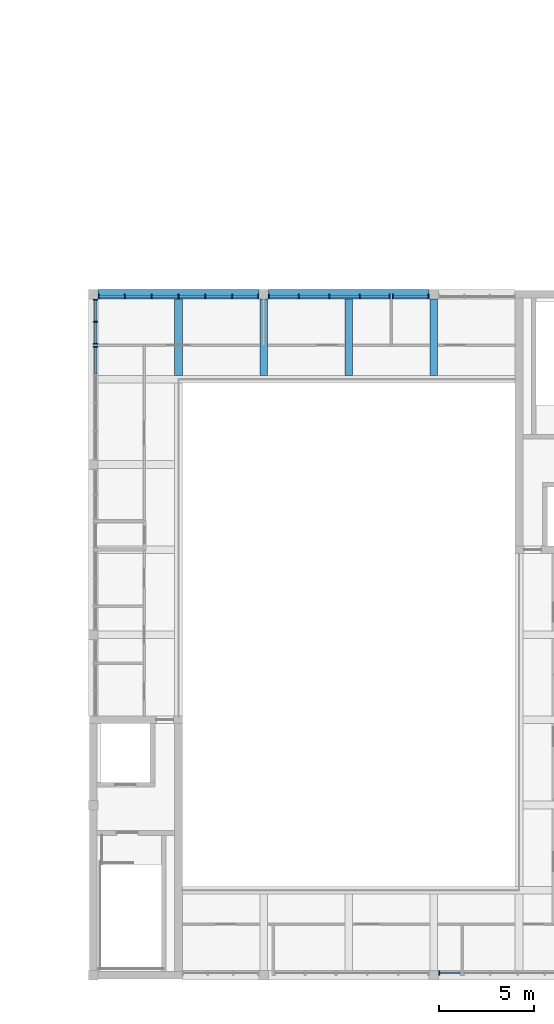
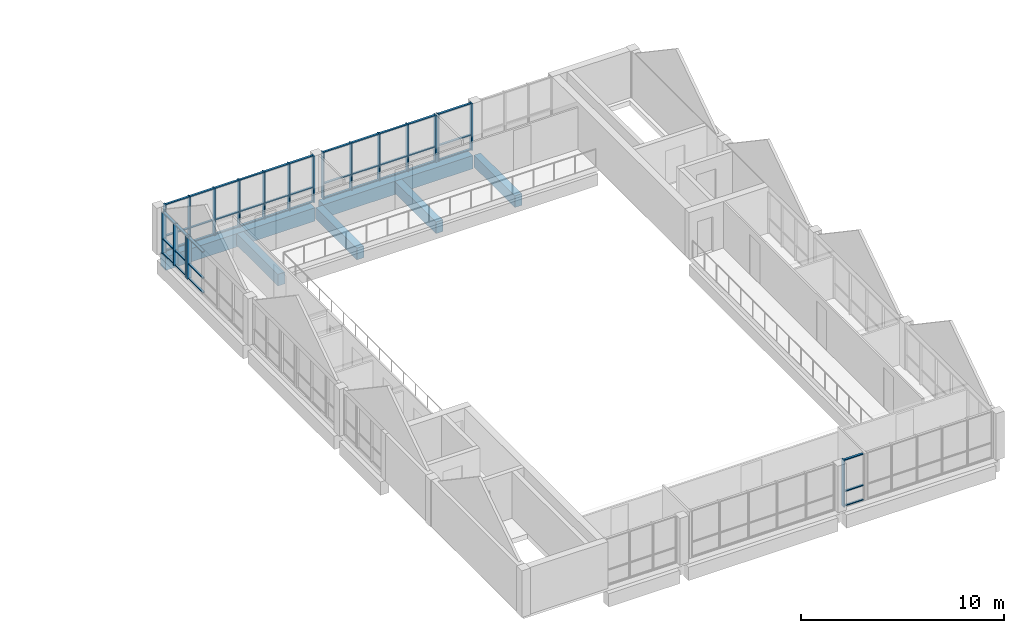
# One storey, part 6 of 50: 64 members, 6 beams, 6 elements without a shape of their own.
"""IFC4 building model written with IfcOpenShell, lengths in metres."""

from ifc_helpers import new_model, si_unit, direction, frame, origin, origin_2d, place, context, subcontext, project, spatial, rectangle, extrude, material, material_profile, profile_set, type_object, element, aggregate, save


model = new_model("IFC4")

# Units and contexts
model_context = context("Model", 3, precision=1e-05, world=origin(), true_north=direction((0.0, 1.0)))
body_context = subcontext(model_context, "Body", "Model", "MODEL_VIEW")
ifc_project = project(units=[si_unit("LENGTHUNIT", "METRE"), si_unit("AREAUNIT", "SQUARE_METRE"), si_unit("VOLUMEUNIT", "CUBIC_METRE"), si_unit("PLANEANGLEUNIT", "RADIAN"), si_unit("MASSUNIT", "GRAM", prefix="KILO")], contexts=[model_context])

# Site, building, storey
site_placement = place(None, origin())
site = spatial("IfcSite", under=ifc_project, at=site_placement, CompositionType="ELEMENT")
building_placement = place(site_placement, origin())
building = spatial("IfcBuilding", under=site, at=building_placement, Name="Merrow Basin Faculty of Sciences", CompositionType="ELEMENT")
storey_placement = place(building_placement, frame((0.0, 0.0, 18.0)))
storey = spatial("IfcBuildingStorey", under=building, at=storey_placement, Name="L04", CompositionType="ELEMENT", Elevation=18.0)

# Curtain wall, member
ifc_material_1 = material(Name="Aluminium alloy 6063", Category="aluminium")
curtain_wall_type = type_object("IfcCurtainWallType", Name="Atrium unitised curtain wall 240", PredefinedType="NOTDEFINED", material=ifc_material_1)
curtain_wall_1_placement = place(storey_placement, origin())
curtain_wall_1 = element("IfcCurtainWall", 1, at=curtain_wall_1_placement, inside=storey, type_object=curtain_wall_type, Name="W curtain wall L04 7", PredefinedType="NOTDEFINED")
ifc_material_2 = material(Name="Aluminium alloy 6063", Category="aluminium")
ifc_material_profile_1 = material_profile(ifc_material_2, rectangle(XDim=0.239990234375, YDim=0.06005859375, at=origin_2d()))
ifc_profile_set_1 = profile_set([ifc_material_profile_1], Name="Aluminium alloy 6063")
member_type_1 = type_object("IfcMemberType", Name="Aluminium mullion 60x240", PredefinedType="MULLION", material=ifc_profile_set_1)
member_1_placement = place(storey_placement, frame((45.1201171875, 33.219970703125, 0.0), z_axis=(0.0, 0.0, 1.0), x_axis=(-1.0, 0.0, 0.0)))
member_1 = element("IfcMember", 2, at=member_1_placement, type_object=member_type_1, Name="CW5 mullion 5", PredefinedType="MULLION", context=body_context, shape_type="SweptSolid", body=[
    extrude(rectangle(XDim=0.239990234375, YDim=0.06005859375, at=origin_2d()), origin(), (0.0, 0.0, 1.0), 2.512939453125),
])

# Curtain wall, members
curtain_wall_2_placement = place(storey_placement, origin())
curtain_wall_2 = element("IfcCurtainWall", 3, at=curtain_wall_2_placement, inside=storey, type_object=curtain_wall_type, Name="W curtain wall L04 8", PredefinedType="NOTDEFINED")
member_2_placement = place(storey_placement, frame((45.1201171875, 33.3798828125, 0.0), z_axis=(0.0, 0.0, 1.0), x_axis=(-1.0, 0.0, 0.0)))
member_2 = element("IfcMember", 4, at=member_2_placement, type_object=member_type_1, Name="CW5 mullion 1", PredefinedType="MULLION", context=body_context, shape_type="SweptSolid", body=[
    extrude(rectangle(XDim=0.239990234375, YDim=0.06005859375, at=origin_2d()), origin(), (0.0, 0.0, 1.0), 2.512939453125),
])
member_3_placement = place(storey_placement, frame((45.1201171875, 34.550048828125, 0.0), z_axis=(0.0, 0.0, 1.0), x_axis=(-1.0, 0.0, 0.0)))
member_3 = element("IfcMember", 5, at=member_3_placement, type_object=member_type_1, Name="CW5 mullion 2", PredefinedType="MULLION", context=body_context, shape_type="SweptSolid", body=[
    extrude(rectangle(XDim=0.239990234375, YDim=0.06005859375, at=origin_2d()), origin(), (0.0, 0.0, 1.0), 2.512939453125),
])
member_4_placement = place(storey_placement, frame((45.1201171875, 35.719970703125, 0.0), z_axis=(0.0, 0.0, 1.0), x_axis=(-1.0, 0.0, 0.0)))
member_4 = element("IfcMember", 6, at=member_4_placement, type_object=member_type_1, Name="CW5 mullion 3", PredefinedType="MULLION", context=body_context, shape_type="SweptSolid", body=[
    extrude(rectangle(XDim=0.239990234375, YDim=0.06005859375, at=origin_2d()), origin(), (0.0, 0.0, 1.0), 2.512939453125),
])

curtain_wall_3_placement = place(storey_placement, origin())
curtain_wall_3 = element("IfcCurtainWall", 7, at=curtain_wall_3_placement, inside=storey, type_object=curtain_wall_type, Name="N curtain wall L04 1", PredefinedType="NOTDEFINED")
member_5_placement = place(storey_placement, frame((45.280029296875, 35.8798828125, 0.0), z_axis=(0.0, 0.0, 1.0), x_axis=(0.0, 1.0, 0.0)))
member_5 = element("IfcMember", 8, at=member_5_placement, type_object=member_type_1, Name="CW5 mullion 1", PredefinedType="MULLION", context=body_context, shape_type="SweptSolid", body=[
    extrude(rectangle(XDim=0.239990234375, YDim=0.06005859375, at=origin_2d()), origin(), (0.0, 0.0, 1.0), 2.81298828125),
])
member_6_placement = place(storey_placement, frame((46.666748046875, 35.8798828125, 0.0), z_axis=(0.0, 0.0, 1.0), x_axis=(0.0, 1.0, 0.0)))
member_6 = element("IfcMember", 9, at=member_6_placement, type_object=member_type_1, Name="CW5 mullion 2", PredefinedType="MULLION", context=body_context, shape_type="SweptSolid", body=[
    extrude(rectangle(XDim=0.239990234375, YDim=0.06005859375, at=origin_2d()), origin(), (0.0, 0.0, 1.0), 2.81298828125),
])
member_7_placement = place(storey_placement, frame((48.083251953125, 35.8798828125, 0.0), z_axis=(0.0, 0.0, 1.0), x_axis=(0.0, 1.0, 0.0)))
member_7 = element("IfcMember", 10, at=member_7_placement, type_object=member_type_1, Name="CW5 mullion 3", PredefinedType="MULLION", context=body_context, shape_type="SweptSolid", body=[
    extrude(rectangle(XDim=0.239990234375, YDim=0.06005859375, at=origin_2d()), origin(), (0.0, 0.0, 1.0), 2.81298828125),
])
member_8_placement = place(storey_placement, frame((49.5, 35.8798828125, 0.0), z_axis=(0.0, 0.0, 1.0), x_axis=(0.0, 1.0, 0.0)))
member_8 = element("IfcMember", 11, at=member_8_placement, type_object=member_type_1, Name="CW5 mullion 4", PredefinedType="MULLION", context=body_context, shape_type="SweptSolid", body=[
    extrude(rectangle(XDim=0.239990234375, YDim=0.06005859375, at=origin_2d()), origin(), (0.0, 0.0, 1.0), 2.81298828125),
])
member_9_placement = place(storey_placement, frame((50.916748046875, 35.8798828125, 0.0), z_axis=(0.0, 0.0, 1.0), x_axis=(0.0, 1.0, 0.0)))
member_9 = element("IfcMember", 12, at=member_9_placement, type_object=member_type_1, Name="CW5 mullion 5", PredefinedType="MULLION", context=body_context, shape_type="SweptSolid", body=[
    extrude(rectangle(XDim=0.239990234375, YDim=0.06005859375, at=origin_2d()), origin(), (0.0, 0.0, 1.0), 2.81298828125),
])
member_10_placement = place(storey_placement, frame((52.333251953125, 35.8798828125, 0.0), z_axis=(0.0, 0.0, 1.0), x_axis=(0.0, 1.0, 0.0)))
member_10 = element("IfcMember", 13, at=member_10_placement, type_object=member_type_1, Name="CW5 mullion 6", PredefinedType="MULLION", context=body_context, shape_type="SweptSolid", body=[
    extrude(rectangle(XDim=0.239990234375, YDim=0.06005859375, at=origin_2d()), origin(), (0.0, 0.0, 1.0), 2.81298828125),
])
member_11_placement = place(storey_placement, frame((53.719970703125, 35.8798828125, 0.0), z_axis=(0.0, 0.0, 1.0), x_axis=(0.0, 1.0, 0.0)))
member_11 = element("IfcMember", 14, at=member_11_placement, type_object=member_type_1, Name="CW5 mullion 7", PredefinedType="MULLION", context=body_context, shape_type="SweptSolid", body=[
    extrude(rectangle(XDim=0.239990234375, YDim=0.06005859375, at=origin_2d()), origin(), (0.0, 0.0, 1.0), 2.81298828125),
])

curtain_wall_4_placement = place(storey_placement, origin())
curtain_wall_4 = element("IfcCurtainWall", 15, at=curtain_wall_4_placement, inside=storey, type_object=curtain_wall_type, Name="N curtain wall L04 2", PredefinedType="NOTDEFINED")
member_12_placement = place(storey_placement, frame((54.280029296875, 35.8798828125, 0.0), z_axis=(0.0, 0.0, 1.0), x_axis=(0.0, 1.0, 0.0)))
member_12 = element("IfcMember", 16, at=member_12_placement, type_object=member_type_1, Name="CW5 mullion 1", PredefinedType="MULLION", context=body_context, shape_type="SweptSolid", body=[
    extrude(rectangle(XDim=0.239990234375, YDim=0.06005859375, at=origin_2d()), origin(), (0.0, 0.0, 1.0), 2.81298828125),
])
member_13_placement = place(storey_placement, frame((55.862548828125, 35.8798828125, 0.0), z_axis=(0.0, 0.0, 1.0), x_axis=(0.0, 1.0, 0.0)))
member_13 = element("IfcMember", 17, at=member_13_placement, type_object=member_type_1, Name="CW5 mullion 2", PredefinedType="MULLION", context=body_context, shape_type="SweptSolid", body=[
    extrude(rectangle(XDim=0.239990234375, YDim=0.06005859375, at=origin_2d()), origin(), (0.0, 0.0, 1.0), 2.81298828125),
])
member_14_placement = place(storey_placement, frame((57.47509765625, 35.8798828125, 0.0), z_axis=(0.0, 0.0, 1.0), x_axis=(0.0, 1.0, 0.0)))
member_14 = element("IfcMember", 18, at=member_14_placement, type_object=member_type_1, Name="CW5 mullion 3", PredefinedType="MULLION", context=body_context, shape_type="SweptSolid", body=[
    extrude(rectangle(XDim=0.239990234375, YDim=0.06005859375, at=origin_2d()), origin(), (0.0, 0.0, 1.0), 2.81298828125),
])
member_15_placement = place(storey_placement, frame((59.08740234375, 35.8798828125, 0.0), z_axis=(0.0, 0.0, 1.0), x_axis=(0.0, 1.0, 0.0)))
member_15 = element("IfcMember", 19, at=member_15_placement, type_object=member_type_1, Name="CW5 mullion 4", PredefinedType="MULLION", context=body_context, shape_type="SweptSolid", body=[
    extrude(rectangle(XDim=0.239990234375, YDim=0.06005859375, at=origin_2d()), origin(), (0.0, 0.0, 1.0), 2.81298828125),
])
member_16_placement = place(storey_placement, frame((60.669921875, 35.8798828125, 0.0), z_axis=(0.0, 0.0, 1.0), x_axis=(0.0, 1.0, 0.0)))
member_16 = element("IfcMember", 20, at=member_16_placement, type_object=member_type_1, Name="CW5 mullion 5", PredefinedType="MULLION", context=body_context, shape_type="SweptSolid", body=[
    extrude(rectangle(XDim=0.239990234375, YDim=0.06005859375, at=origin_2d()), origin(), (0.0, 0.0, 1.0), 2.81298828125),
])

curtain_wall_5_placement = place(storey_placement, origin())
curtain_wall_5 = element("IfcCurtainWall", 21, at=curtain_wall_5_placement, inside=storey, type_object=curtain_wall_type, Name="N curtain wall L04 3", PredefinedType="NOTDEFINED")
member_17_placement = place(storey_placement, frame((60.830078125, 35.8798828125, 0.0), z_axis=(0.0, 0.0, 1.0), x_axis=(0.0, 1.0, 0.0)))
member_17 = element("IfcMember", 22, at=member_17_placement, type_object=member_type_1, Name="CW5 mullion 1", PredefinedType="MULLION", context=body_context, shape_type="SweptSolid", body=[
    extrude(rectangle(XDim=0.239990234375, YDim=0.06005859375, at=origin_2d()), origin(), (0.0, 0.0, 1.0), 2.81298828125),
])
member_18_placement = place(storey_placement, frame((62.719970703125, 35.8798828125, 0.0), z_axis=(0.0, 0.0, 1.0), x_axis=(0.0, 1.0, 0.0)))
member_18 = element("IfcMember", 23, at=member_18_placement, type_object=member_type_1, Name="CW5 mullion 2", PredefinedType="MULLION", context=body_context, shape_type="SweptSolid", body=[
    extrude(rectangle(XDim=0.239990234375, YDim=0.06005859375, at=origin_2d()), origin(), (0.0, 0.0, 1.0), 2.81298828125),
])

# Curtain wall, member
curtain_wall_6_placement = place(storey_placement, origin())
curtain_wall_6 = element("IfcCurtainWall", 24, at=curtain_wall_6_placement, inside=storey, type_object=curtain_wall_type, Name="S curtain wall L04 3", PredefinedType="NOTDEFINED")
member_19_placement = place(storey_placement, frame((63.280029296875, 0.1201171875, 0.0), z_axis=(0.0, 0.0, 1.0), x_axis=(0.0, 1.0, 0.0)))
member_19 = element("IfcMember", 25, at=member_19_placement, type_object=member_type_1, Name="CW5 mullion 1", PredefinedType="MULLION", context=body_context, shape_type="SweptSolid", body=[
    extrude(rectangle(XDim=0.239990234375, YDim=0.06005859375, at=origin_2d()), origin(), (0.0, 0.0, 1.0), 2.81298828125),
])

# Member
ifc_material_3 = material(Name="Aluminium alloy 6063", Category="aluminium")
ifc_material_profile_2 = material_profile(ifc_material_3, rectangle(XDim=0.1201171875, YDim=0.06005859375, at=origin_2d()))
ifc_profile_set_2 = profile_set([ifc_material_profile_2], Name="Aluminium alloy 6063")
member_type_2 = type_object("IfcMemberType", Name="Aluminium transom 60x120", PredefinedType="USERDEFINED", material=ifc_profile_set_2)
member_20_placement = place(storey_placement, frame((45.1201171875, 31.780029296875, 0.030029296875), z_axis=(0.0, 1.0, 0.0), x_axis=(-1.0, 0.0, 0.0)))
member_20 = element("IfcMember", 26, at=member_20_placement, type_object=member_type_2, Name="CW5 transom 4.1", ObjectType="TRANSOM", PredefinedType="USERDEFINED", context=body_context, shape_type="SweptSolid", body=[
    extrude(rectangle(XDim=0.1201171875, YDim=0.06005859375, at=origin_2d()), origin(), (0.0, 0.0, 1.0), 1.409912109375),
])

member_21_placement = place(storey_placement, frame((45.1201171875, 31.780029296875, 0.89990234375), z_axis=(0.0, 1.0, 0.0), x_axis=(-1.0, 0.0, 0.0)))
member_21 = element("IfcMember", 27, at=member_21_placement, type_object=member_type_2, Name="CW5 transom 4.2", ObjectType="TRANSOM", PredefinedType="USERDEFINED", context=body_context, shape_type="SweptSolid", body=[
    extrude(rectangle(XDim=0.1201171875, YDim=0.06005859375, at=origin_2d()), origin(), (0.0, 0.0, 1.0), 1.409912109375),
])

member_22_placement = place(storey_placement, frame((45.1201171875, 31.780029296875, 2.48291015625), z_axis=(0.0, 1.0, 0.0), x_axis=(-1.0, 0.0, 0.0)))
member_22 = element("IfcMember", 28, at=member_22_placement, type_object=member_type_2, Name="CW5 transom 4.3", ObjectType="TRANSOM", PredefinedType="USERDEFINED", context=body_context, shape_type="SweptSolid", body=[
    extrude(rectangle(XDim=0.1201171875, YDim=0.06005859375, at=origin_2d()), origin(), (0.0, 0.0, 1.0), 1.409912109375),
])

aggregate(curtain_wall_1, [member_1, member_20, member_21, member_22])

member_23_placement = place(storey_placement, frame((45.1201171875, 33.409912109375, 0.030029296875), z_axis=(0.0, 1.0, 0.0), x_axis=(-1.0, 0.0, 0.0)))
member_23 = element("IfcMember", 29, at=member_23_placement, type_object=member_type_2, Name="CW5 transom 1.1", ObjectType="TRANSOM", PredefinedType="USERDEFINED", context=body_context, shape_type="SweptSolid", body=[
    extrude(rectangle(XDim=0.1201171875, YDim=0.06005859375, at=origin_2d()), origin(), (0.0, 0.0, 1.0), 1.110107421875),
])

member_24_placement = place(storey_placement, frame((45.1201171875, 33.409912109375, 0.89990234375), z_axis=(0.0, 1.0, 0.0), x_axis=(-1.0, 0.0, 0.0)))
member_24 = element("IfcMember", 30, at=member_24_placement, type_object=member_type_2, Name="CW5 transom 1.2", ObjectType="TRANSOM", PredefinedType="USERDEFINED", context=body_context, shape_type="SweptSolid", body=[
    extrude(rectangle(XDim=0.1201171875, YDim=0.06005859375, at=origin_2d()), origin(), (0.0, 0.0, 1.0), 1.110107421875),
])

member_25_placement = place(storey_placement, frame((45.1201171875, 33.409912109375, 2.48291015625), z_axis=(0.0, 1.0, 0.0), x_axis=(-1.0, 0.0, 0.0)))
member_25 = element("IfcMember", 31, at=member_25_placement, type_object=member_type_2, Name="CW5 transom 1.3", ObjectType="TRANSOM", PredefinedType="USERDEFINED", context=body_context, shape_type="SweptSolid", body=[
    extrude(rectangle(XDim=0.1201171875, YDim=0.06005859375, at=origin_2d()), origin(), (0.0, 0.0, 1.0), 1.110107421875),
])

member_26_placement = place(storey_placement, frame((45.1201171875, 34.580078125, 0.030029296875), z_axis=(0.0, 1.0, 0.0), x_axis=(-1.0, 0.0, 0.0)))
member_26 = element("IfcMember", 32, at=member_26_placement, type_object=member_type_2, Name="CW5 transom 2.1", ObjectType="TRANSOM", PredefinedType="USERDEFINED", context=body_context, shape_type="SweptSolid", body=[
    extrude(rectangle(XDim=0.1201171875, YDim=0.06005859375, at=origin_2d()), origin(), (0.0, 0.0, 1.0), 1.10986328125),
])

member_27_placement = place(storey_placement, frame((45.1201171875, 34.580078125, 0.89990234375), z_axis=(0.0, 1.0, 0.0), x_axis=(-1.0, 0.0, 0.0)))
member_27 = element("IfcMember", 33, at=member_27_placement, type_object=member_type_2, Name="CW5 transom 2.2", ObjectType="TRANSOM", PredefinedType="USERDEFINED", context=body_context, shape_type="SweptSolid", body=[
    extrude(rectangle(XDim=0.1201171875, YDim=0.06005859375, at=origin_2d()), origin(), (0.0, 0.0, 1.0), 1.10986328125),
])

member_28_placement = place(storey_placement, frame((45.1201171875, 34.580078125, 2.48291015625), z_axis=(0.0, 1.0, 0.0), x_axis=(-1.0, 0.0, 0.0)))
member_28 = element("IfcMember", 34, at=member_28_placement, type_object=member_type_2, Name="CW5 transom 2.3", ObjectType="TRANSOM", PredefinedType="USERDEFINED", context=body_context, shape_type="SweptSolid", body=[
    extrude(rectangle(XDim=0.1201171875, YDim=0.06005859375, at=origin_2d()), origin(), (0.0, 0.0, 1.0), 1.10986328125),
])

aggregate(curtain_wall_2, [member_2, member_3, member_4, member_23, member_24, member_25, member_26, member_27, member_28])

member_29_placement = place(storey_placement, frame((45.31005859375, 35.8798828125, 0.030029296875), z_axis=(1.0, 0.0, 0.0), x_axis=(0.0, 1.0, 0.0)))
member_29 = element("IfcMember", 35, at=member_29_placement, type_object=member_type_2, Name="CW5 transom 1.1", ObjectType="TRANSOM", PredefinedType="USERDEFINED", context=body_context, shape_type="SweptSolid", body=[
    extrude(rectangle(XDim=0.1201171875, YDim=0.06005859375, at=origin_2d()), origin(), (0.0, 0.0, 1.0), 1.32666015625),
])

member_30_placement = place(storey_placement, frame((45.31005859375, 35.8798828125, 0.89990234375), z_axis=(1.0, 0.0, 0.0), x_axis=(0.0, 1.0, 0.0)))
member_30 = element("IfcMember", 36, at=member_30_placement, type_object=member_type_2, Name="CW5 transom 1.2", ObjectType="TRANSOM", PredefinedType="USERDEFINED", context=body_context, shape_type="SweptSolid", body=[
    extrude(rectangle(XDim=0.1201171875, YDim=0.06005859375, at=origin_2d()), origin(), (0.0, 0.0, 1.0), 1.32666015625),
])

member_31_placement = place(storey_placement, frame((45.31005859375, 35.8798828125, 2.782958984375), z_axis=(1.0, 0.0, 0.0), x_axis=(0.0, 1.0, 0.0)))
member_31 = element("IfcMember", 37, at=member_31_placement, type_object=member_type_2, Name="CW5 transom 1.3", ObjectType="TRANSOM", PredefinedType="USERDEFINED", context=body_context, shape_type="SweptSolid", body=[
    extrude(rectangle(XDim=0.1201171875, YDim=0.06005859375, at=origin_2d()), origin(), (0.0, 0.0, 1.0), 1.32666015625),
])

member_32_placement = place(storey_placement, frame((46.69677734375, 35.8798828125, 0.030029296875), z_axis=(1.0, 0.0, 0.0), x_axis=(0.0, 1.0, 0.0)))
member_32 = element("IfcMember", 38, at=member_32_placement, type_object=member_type_2, Name="CW5 transom 2.1", ObjectType="TRANSOM", PredefinedType="USERDEFINED", context=body_context, shape_type="SweptSolid", body=[
    extrude(rectangle(XDim=0.1201171875, YDim=0.06005859375, at=origin_2d()), origin(), (0.0, 0.0, 1.0), 1.3564453125),
])

member_33_placement = place(storey_placement, frame((46.69677734375, 35.8798828125, 0.89990234375), z_axis=(1.0, 0.0, 0.0), x_axis=(0.0, 1.0, 0.0)))
member_33 = element("IfcMember", 39, at=member_33_placement, type_object=member_type_2, Name="CW5 transom 2.2", ObjectType="TRANSOM", PredefinedType="USERDEFINED", context=body_context, shape_type="SweptSolid", body=[
    extrude(rectangle(XDim=0.1201171875, YDim=0.06005859375, at=origin_2d()), origin(), (0.0, 0.0, 1.0), 1.3564453125),
])

member_34_placement = place(storey_placement, frame((46.69677734375, 35.8798828125, 2.782958984375), z_axis=(1.0, 0.0, 0.0), x_axis=(0.0, 1.0, 0.0)))
member_34 = element("IfcMember", 40, at=member_34_placement, type_object=member_type_2, Name="CW5 transom 2.3", ObjectType="TRANSOM", PredefinedType="USERDEFINED", context=body_context, shape_type="SweptSolid", body=[
    extrude(rectangle(XDim=0.1201171875, YDim=0.06005859375, at=origin_2d()), origin(), (0.0, 0.0, 1.0), 1.3564453125),
])

member_35_placement = place(storey_placement, frame((48.11328125, 35.8798828125, 0.030029296875), z_axis=(1.0, 0.0, 0.0), x_axis=(0.0, 1.0, 0.0)))
member_35 = element("IfcMember", 41, at=member_35_placement, type_object=member_type_2, Name="CW5 transom 3.1", ObjectType="TRANSOM", PredefinedType="USERDEFINED", context=body_context, shape_type="SweptSolid", body=[
    extrude(rectangle(XDim=0.1201171875, YDim=0.06005859375, at=origin_2d()), origin(), (0.0, 0.0, 1.0), 1.356689453125),
])

member_36_placement = place(storey_placement, frame((48.11328125, 35.8798828125, 0.89990234375), z_axis=(1.0, 0.0, 0.0), x_axis=(0.0, 1.0, 0.0)))
member_36 = element("IfcMember", 42, at=member_36_placement, type_object=member_type_2, Name="CW5 transom 3.2", ObjectType="TRANSOM", PredefinedType="USERDEFINED", context=body_context, shape_type="SweptSolid", body=[
    extrude(rectangle(XDim=0.1201171875, YDim=0.06005859375, at=origin_2d()), origin(), (0.0, 0.0, 1.0), 1.356689453125),
])

member_37_placement = place(storey_placement, frame((48.11328125, 35.8798828125, 2.782958984375), z_axis=(1.0, 0.0, 0.0), x_axis=(0.0, 1.0, 0.0)))
member_37 = element("IfcMember", 43, at=member_37_placement, type_object=member_type_2, Name="CW5 transom 3.3", ObjectType="TRANSOM", PredefinedType="USERDEFINED", context=body_context, shape_type="SweptSolid", body=[
    extrude(rectangle(XDim=0.1201171875, YDim=0.06005859375, at=origin_2d()), origin(), (0.0, 0.0, 1.0), 1.356689453125),
])

member_38_placement = place(storey_placement, frame((49.530029296875, 35.8798828125, 0.030029296875), z_axis=(1.0, 0.0, 0.0), x_axis=(0.0, 1.0, 0.0)))
member_38 = element("IfcMember", 44, at=member_38_placement, type_object=member_type_2, Name="CW5 transom 4.1", ObjectType="TRANSOM", PredefinedType="USERDEFINED", context=body_context, shape_type="SweptSolid", body=[
    extrude(rectangle(XDim=0.1201171875, YDim=0.06005859375, at=origin_2d()), origin(), (0.0, 0.0, 1.0), 1.356689453125),
])

member_39_placement = place(storey_placement, frame((49.530029296875, 35.8798828125, 0.89990234375), z_axis=(1.0, 0.0, 0.0), x_axis=(0.0, 1.0, 0.0)))
member_39 = element("IfcMember", 45, at=member_39_placement, type_object=member_type_2, Name="CW5 transom 4.2", ObjectType="TRANSOM", PredefinedType="USERDEFINED", context=body_context, shape_type="SweptSolid", body=[
    extrude(rectangle(XDim=0.1201171875, YDim=0.06005859375, at=origin_2d()), origin(), (0.0, 0.0, 1.0), 1.356689453125),
])

member_40_placement = place(storey_placement, frame((49.530029296875, 35.8798828125, 2.782958984375), z_axis=(1.0, 0.0, 0.0), x_axis=(0.0, 1.0, 0.0)))
member_40 = element("IfcMember", 46, at=member_40_placement, type_object=member_type_2, Name="CW5 transom 4.3", ObjectType="TRANSOM", PredefinedType="USERDEFINED", context=body_context, shape_type="SweptSolid", body=[
    extrude(rectangle(XDim=0.1201171875, YDim=0.06005859375, at=origin_2d()), origin(), (0.0, 0.0, 1.0), 1.356689453125),
])

member_41_placement = place(storey_placement, frame((50.94677734375, 35.8798828125, 0.030029296875), z_axis=(1.0, 0.0, 0.0), x_axis=(0.0, 1.0, 0.0)))
member_41 = element("IfcMember", 47, at=member_41_placement, type_object=member_type_2, Name="CW5 transom 5.1", ObjectType="TRANSOM", PredefinedType="USERDEFINED", context=body_context, shape_type="SweptSolid", body=[
    extrude(rectangle(XDim=0.1201171875, YDim=0.06005859375, at=origin_2d()), origin(), (0.0, 0.0, 1.0), 1.3564453125),
])

member_42_placement = place(storey_placement, frame((50.94677734375, 35.8798828125, 0.89990234375), z_axis=(1.0, 0.0, 0.0), x_axis=(0.0, 1.0, 0.0)))
member_42 = element("IfcMember", 48, at=member_42_placement, type_object=member_type_2, Name="CW5 transom 5.2", ObjectType="TRANSOM", PredefinedType="USERDEFINED", context=body_context, shape_type="SweptSolid", body=[
    extrude(rectangle(XDim=0.1201171875, YDim=0.06005859375, at=origin_2d()), origin(), (0.0, 0.0, 1.0), 1.3564453125),
])

member_43_placement = place(storey_placement, frame((50.94677734375, 35.8798828125, 2.782958984375), z_axis=(1.0, 0.0, 0.0), x_axis=(0.0, 1.0, 0.0)))
member_43 = element("IfcMember", 49, at=member_43_placement, type_object=member_type_2, Name="CW5 transom 5.3", ObjectType="TRANSOM", PredefinedType="USERDEFINED", context=body_context, shape_type="SweptSolid", body=[
    extrude(rectangle(XDim=0.1201171875, YDim=0.06005859375, at=origin_2d()), origin(), (0.0, 0.0, 1.0), 1.3564453125),
])

member_44_placement = place(storey_placement, frame((52.36328125, 35.8798828125, 0.030029296875), z_axis=(1.0, 0.0, 0.0), x_axis=(0.0, 1.0, 0.0)))
member_44 = element("IfcMember", 50, at=member_44_placement, type_object=member_type_2, Name="CW5 transom 6.1", ObjectType="TRANSOM", PredefinedType="USERDEFINED", context=body_context, shape_type="SweptSolid", body=[
    extrude(rectangle(XDim=0.1201171875, YDim=0.06005859375, at=origin_2d()), origin(), (0.0, 0.0, 1.0), 1.32666015625),
])

member_45_placement = place(storey_placement, frame((52.36328125, 35.8798828125, 0.89990234375), z_axis=(1.0, 0.0, 0.0), x_axis=(0.0, 1.0, 0.0)))
member_45 = element("IfcMember", 51, at=member_45_placement, type_object=member_type_2, Name="CW5 transom 6.2", ObjectType="TRANSOM", PredefinedType="USERDEFINED", context=body_context, shape_type="SweptSolid", body=[
    extrude(rectangle(XDim=0.1201171875, YDim=0.06005859375, at=origin_2d()), origin(), (0.0, 0.0, 1.0), 1.32666015625),
])

member_46_placement = place(storey_placement, frame((52.36328125, 35.8798828125, 2.782958984375), z_axis=(1.0, 0.0, 0.0), x_axis=(0.0, 1.0, 0.0)))
member_46 = element("IfcMember", 52, at=member_46_placement, type_object=member_type_2, Name="CW5 transom 6.3", ObjectType="TRANSOM", PredefinedType="USERDEFINED", context=body_context, shape_type="SweptSolid", body=[
    extrude(rectangle(XDim=0.1201171875, YDim=0.06005859375, at=origin_2d()), origin(), (0.0, 0.0, 1.0), 1.32666015625),
])

aggregate(curtain_wall_3, [member_5, member_6, member_7, member_8, member_9, member_10, member_11, member_29, member_30, member_31, member_32, member_33, member_34, member_35, member_36, member_37, member_38, member_39, member_40, member_41, member_42, member_43, member_44, member_45, member_46])

member_47_placement = place(storey_placement, frame((54.31005859375, 35.8798828125, 0.030029296875), z_axis=(1.0, 0.0, 0.0), x_axis=(0.0, 1.0, 0.0)))
member_47 = element("IfcMember", 53, at=member_47_placement, type_object=member_type_2, Name="CW5 transom 1.1", ObjectType="TRANSOM", PredefinedType="USERDEFINED", context=body_context, shape_type="SweptSolid", body=[
    extrude(rectangle(XDim=0.1201171875, YDim=0.06005859375, at=origin_2d()), origin(), (0.0, 0.0, 1.0), 1.5224609375),
])

member_48_placement = place(storey_placement, frame((54.31005859375, 35.8798828125, 0.89990234375), z_axis=(1.0, 0.0, 0.0), x_axis=(0.0, 1.0, 0.0)))
member_48 = element("IfcMember", 54, at=member_48_placement, type_object=member_type_2, Name="CW5 transom 1.2", ObjectType="TRANSOM", PredefinedType="USERDEFINED", context=body_context, shape_type="SweptSolid", body=[
    extrude(rectangle(XDim=0.1201171875, YDim=0.06005859375, at=origin_2d()), origin(), (0.0, 0.0, 1.0), 1.5224609375),
])

member_49_placement = place(storey_placement, frame((54.31005859375, 35.8798828125, 2.782958984375), z_axis=(1.0, 0.0, 0.0), x_axis=(0.0, 1.0, 0.0)))
member_49 = element("IfcMember", 55, at=member_49_placement, type_object=member_type_2, Name="CW5 transom 1.3", ObjectType="TRANSOM", PredefinedType="USERDEFINED", context=body_context, shape_type="SweptSolid", body=[
    extrude(rectangle(XDim=0.1201171875, YDim=0.06005859375, at=origin_2d()), origin(), (0.0, 0.0, 1.0), 1.5224609375),
])

member_50_placement = place(storey_placement, frame((55.892578125, 35.8798828125, 0.030029296875), z_axis=(1.0, 0.0, 0.0), x_axis=(0.0, 1.0, 0.0)))
member_50 = element("IfcMember", 56, at=member_50_placement, type_object=member_type_2, Name="CW5 transom 2.1", ObjectType="TRANSOM", PredefinedType="USERDEFINED", context=body_context, shape_type="SweptSolid", body=[
    extrude(rectangle(XDim=0.1201171875, YDim=0.06005859375, at=origin_2d()), origin(), (0.0, 0.0, 1.0), 1.552490234375),
])

member_51_placement = place(storey_placement, frame((55.892578125, 35.8798828125, 0.89990234375), z_axis=(1.0, 0.0, 0.0), x_axis=(0.0, 1.0, 0.0)))
member_51 = element("IfcMember", 57, at=member_51_placement, type_object=member_type_2, Name="CW5 transom 2.2", ObjectType="TRANSOM", PredefinedType="USERDEFINED", context=body_context, shape_type="SweptSolid", body=[
    extrude(rectangle(XDim=0.1201171875, YDim=0.06005859375, at=origin_2d()), origin(), (0.0, 0.0, 1.0), 1.552490234375),
])

member_52_placement = place(storey_placement, frame((55.892578125, 35.8798828125, 2.782958984375), z_axis=(1.0, 0.0, 0.0), x_axis=(0.0, 1.0, 0.0)))
member_52 = element("IfcMember", 58, at=member_52_placement, type_object=member_type_2, Name="CW5 transom 2.3", ObjectType="TRANSOM", PredefinedType="USERDEFINED", context=body_context, shape_type="SweptSolid", body=[
    extrude(rectangle(XDim=0.1201171875, YDim=0.06005859375, at=origin_2d()), origin(), (0.0, 0.0, 1.0), 1.552490234375),
])

member_53_placement = place(storey_placement, frame((57.5048828125, 35.8798828125, 0.030029296875), z_axis=(1.0, 0.0, 0.0), x_axis=(0.0, 1.0, 0.0)))
member_53 = element("IfcMember", 59, at=member_53_placement, type_object=member_type_2, Name="CW5 transom 3.1", ObjectType="TRANSOM", PredefinedType="USERDEFINED", context=body_context, shape_type="SweptSolid", body=[
    extrude(rectangle(XDim=0.1201171875, YDim=0.06005859375, at=origin_2d()), origin(), (0.0, 0.0, 1.0), 1.552734375),
])

member_54_placement = place(storey_placement, frame((57.5048828125, 35.8798828125, 0.89990234375), z_axis=(1.0, 0.0, 0.0), x_axis=(0.0, 1.0, 0.0)))
member_54 = element("IfcMember", 60, at=member_54_placement, type_object=member_type_2, Name="CW5 transom 3.2", ObjectType="TRANSOM", PredefinedType="USERDEFINED", context=body_context, shape_type="SweptSolid", body=[
    extrude(rectangle(XDim=0.1201171875, YDim=0.06005859375, at=origin_2d()), origin(), (0.0, 0.0, 1.0), 1.552734375),
])

member_55_placement = place(storey_placement, frame((57.5048828125, 35.8798828125, 2.782958984375), z_axis=(1.0, 0.0, 0.0), x_axis=(0.0, 1.0, 0.0)))
member_55 = element("IfcMember", 61, at=member_55_placement, type_object=member_type_2, Name="CW5 transom 3.3", ObjectType="TRANSOM", PredefinedType="USERDEFINED", context=body_context, shape_type="SweptSolid", body=[
    extrude(rectangle(XDim=0.1201171875, YDim=0.06005859375, at=origin_2d()), origin(), (0.0, 0.0, 1.0), 1.552734375),
])

member_56_placement = place(storey_placement, frame((59.117431640625, 35.8798828125, 0.030029296875), z_axis=(1.0, 0.0, 0.0), x_axis=(0.0, 1.0, 0.0)))
member_56 = element("IfcMember", 62, at=member_56_placement, type_object=member_type_2, Name="CW5 transom 4.1", ObjectType="TRANSOM", PredefinedType="USERDEFINED", context=body_context, shape_type="SweptSolid", body=[
    extrude(rectangle(XDim=0.1201171875, YDim=0.06005859375, at=origin_2d()), origin(), (0.0, 0.0, 1.0), 1.5224609375),
])

member_57_placement = place(storey_placement, frame((59.117431640625, 35.8798828125, 0.89990234375), z_axis=(1.0, 0.0, 0.0), x_axis=(0.0, 1.0, 0.0)))
member_57 = element("IfcMember", 63, at=member_57_placement, type_object=member_type_2, Name="CW5 transom 4.2", ObjectType="TRANSOM", PredefinedType="USERDEFINED", context=body_context, shape_type="SweptSolid", body=[
    extrude(rectangle(XDim=0.1201171875, YDim=0.06005859375, at=origin_2d()), origin(), (0.0, 0.0, 1.0), 1.5224609375),
])

member_58_placement = place(storey_placement, frame((59.117431640625, 35.8798828125, 2.782958984375), z_axis=(1.0, 0.0, 0.0), x_axis=(0.0, 1.0, 0.0)))
member_58 = element("IfcMember", 64, at=member_58_placement, type_object=member_type_2, Name="CW5 transom 4.3", ObjectType="TRANSOM", PredefinedType="USERDEFINED", context=body_context, shape_type="SweptSolid", body=[
    extrude(rectangle(XDim=0.1201171875, YDim=0.06005859375, at=origin_2d()), origin(), (0.0, 0.0, 1.0), 1.5224609375),
])

aggregate(curtain_wall_4, [member_12, member_13, member_14, member_15, member_16, member_47, member_48, member_49, member_50, member_51, member_52, member_53, member_54, member_55, member_56, member_57, member_58])

member_59_placement = place(storey_placement, frame((60.860107421875, 35.8798828125, 0.030029296875), z_axis=(1.0, 0.0, 0.0), x_axis=(0.0, 1.0, 0.0)))
member_59 = element("IfcMember", 65, at=member_59_placement, type_object=member_type_2, Name="CW5 transom 1.1", ObjectType="TRANSOM", PredefinedType="USERDEFINED", context=body_context, shape_type="SweptSolid", body=[
    extrude(rectangle(XDim=0.1201171875, YDim=0.06005859375, at=origin_2d()), origin(), (0.0, 0.0, 1.0), 1.829833984375),
])

member_60_placement = place(storey_placement, frame((60.860107421875, 35.8798828125, 0.89990234375), z_axis=(1.0, 0.0, 0.0), x_axis=(0.0, 1.0, 0.0)))
member_60 = element("IfcMember", 66, at=member_60_placement, type_object=member_type_2, Name="CW5 transom 1.2", ObjectType="TRANSOM", PredefinedType="USERDEFINED", context=body_context, shape_type="SweptSolid", body=[
    extrude(rectangle(XDim=0.1201171875, YDim=0.06005859375, at=origin_2d()), origin(), (0.0, 0.0, 1.0), 1.829833984375),
])

member_61_placement = place(storey_placement, frame((60.860107421875, 35.8798828125, 2.782958984375), z_axis=(1.0, 0.0, 0.0), x_axis=(0.0, 1.0, 0.0)))
member_61 = element("IfcMember", 67, at=member_61_placement, type_object=member_type_2, Name="CW5 transom 1.3", ObjectType="TRANSOM", PredefinedType="USERDEFINED", context=body_context, shape_type="SweptSolid", body=[
    extrude(rectangle(XDim=0.1201171875, YDim=0.06005859375, at=origin_2d()), origin(), (0.0, 0.0, 1.0), 1.829833984375),
])

aggregate(curtain_wall_5, [member_17, member_18, member_59, member_60, member_61])

member_62_placement = place(storey_placement, frame((63.31005859375, 0.1201171875, 0.030029296875), z_axis=(1.0, 0.0, 0.0), x_axis=(0.0, 1.0, 0.0)))
member_62 = element("IfcMember", 68, at=member_62_placement, type_object=member_type_2, Name="CW5 transom 1.1", ObjectType="TRANSOM", PredefinedType="USERDEFINED", context=body_context, shape_type="SweptSolid", body=[
    extrude(rectangle(XDim=0.1201171875, YDim=0.06005859375, at=origin_2d()), origin(), (0.0, 0.0, 1.0), 1.079833984375),
])

member_63_placement = place(storey_placement, frame((63.31005859375, 0.1201171875, 0.89990234375), z_axis=(1.0, 0.0, 0.0), x_axis=(0.0, 1.0, 0.0)))
member_63 = element("IfcMember", 69, at=member_63_placement, type_object=member_type_2, Name="CW5 transom 1.2", ObjectType="TRANSOM", PredefinedType="USERDEFINED", context=body_context, shape_type="SweptSolid", body=[
    extrude(rectangle(XDim=0.1201171875, YDim=0.06005859375, at=origin_2d()), origin(), (0.0, 0.0, 1.0), 1.079833984375),
])

member_64_placement = place(storey_placement, frame((63.31005859375, 0.1201171875, 2.782958984375), z_axis=(1.0, 0.0, 0.0), x_axis=(0.0, 1.0, 0.0)))
member_64 = element("IfcMember", 70, at=member_64_placement, type_object=member_type_2, Name="CW5 transom 1.3", ObjectType="TRANSOM", PredefinedType="USERDEFINED", context=body_context, shape_type="SweptSolid", body=[
    extrude(rectangle(XDim=0.1201171875, YDim=0.06005859375, at=origin_2d()), origin(), (0.0, 0.0, 1.0), 1.079833984375),
])

aggregate(curtain_wall_6, [member_19, member_62, member_63, member_64])

# Beams
ifc_material_4 = material(Name="Concrete C40/50", Category="concrete")
ifc_material_profile_3 = material_profile(ifc_material_4, rectangle(XDim=0.5, YDim=0.800048828125, at=origin_2d()))
ifc_profile_set_3 = profile_set([ifc_material_profile_3], Name="Concrete C40/50")
beam_type_1 = type_object("IfcBeamType", Name="Beam RC500x800 C40/50", PredefinedType="BEAM", material=ifc_profile_set_3)
for number, where, z_axis, x_axis, name in (
    (71, (45.25, 36.0, -0.699951171875), (1.0, 0.0, 0.0), (0.0, 1.0, 0.0), "B4 L04 004"),
    (72, (54.25, 36.0, -0.699951171875), (1.0, 0.0, 0.0), (0.0, 1.0, 0.0), "B4 L04 005"),
):
    element("IfcBeam", number, at=place(storey_placement, frame(where, z_axis=z_axis, x_axis=x_axis)), inside=storey, type_object=beam_type_1, Name=name, PredefinedType="BEAM", context=body_context, shape_type="SweptSolid", body=[
        extrude(rectangle(XDim=0.5, YDim=0.800048828125, at=origin_2d()), origin(), (0.0, 0.0, 1.0), 8.5),
    ])
ifc_material_5 = material(Name="Concrete C40/50", Category="concrete")
ifc_material_profile_4 = material_profile(ifc_material_5, rectangle(XDim=0.39990234375, YDim=0.699951171875, at=origin_2d()))
ifc_profile_set_4 = profile_set([ifc_material_profile_4], Name="Concrete C40/50")
beam_type_2 = type_object("IfcBeamType", Name="Gallery edge beam RC400x700 C40/50", PredefinedType="BEAM", material=ifc_profile_set_4)
for number, where, z_axis, x_axis, name in (
    (73, (49.5, 31.699951171875, -0.64990234375), (0.0, 1.0, 0.0), (-1.0, 0.0, 0.0), "GB1 L04 016"),
    (74, (54.0, 31.699951171875, -0.64990234375), (0.0, 1.0, 0.0), (-1.0, 0.0, 0.0), "GB1 L04 020"),
    (75, (58.5, 31.699951171875, -0.64990234375), (0.0, 1.0, 0.0), (-1.0, 0.0, 0.0), "GB1 L04 022"),
    (76, (63.0, 31.699951171875, -0.64990234375), (0.0, 1.0, 0.0), (-1.0, 0.0, 0.0), "GB1 L04 024"),
):
    element("IfcBeam", number, at=place(storey_placement, frame(where, z_axis=z_axis, x_axis=x_axis)), inside=storey, type_object=beam_type_2, Name=name, PredefinedType="BEAM", context=body_context, shape_type="SweptSolid", body=[
        extrude(rectangle(XDim=0.39990234375, YDim=0.699951171875, at=origin_2d()), origin(), (0.0, 0.0, 1.0), 4.050048828125),
    ])

save(model, "model.ifc")
